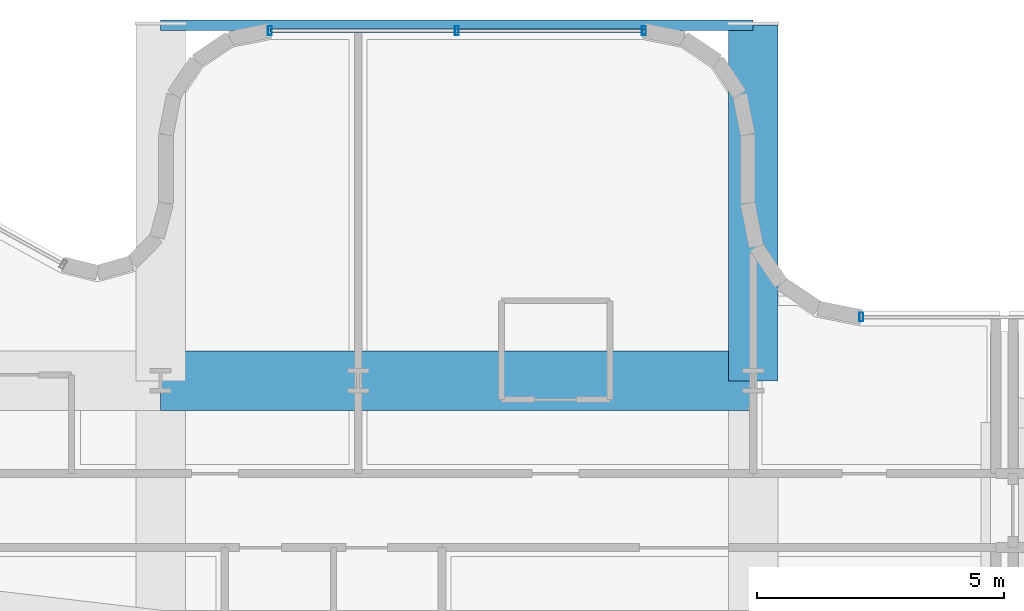
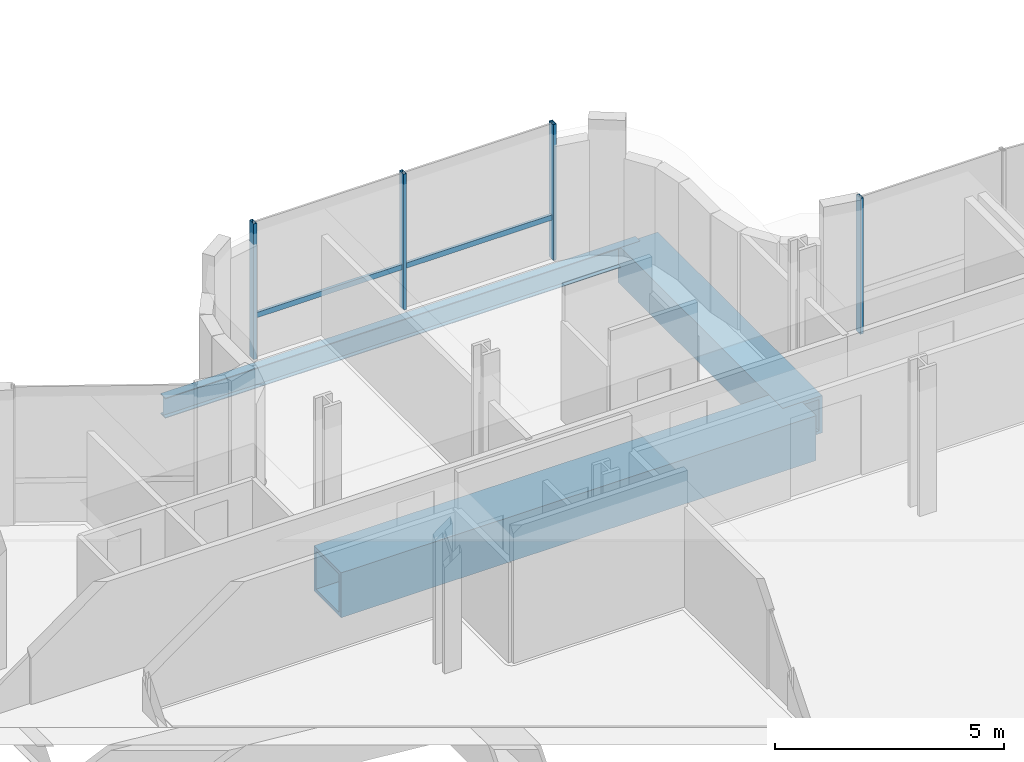
# One storey, part 21 of 36: 5 members, 3 beams, 2 elements without a shape of their own.
"""IFC4 building model written with IfcOpenShell, lengths in metres."""

from ifc_helpers import new_model, si_unit, direction, frame, origin, origin_2d, place, context, subcontext, project, spatial, hollow_rectangle, i_section, extrude, source, transform, mapped, material, material_profile, profile_set, type_object, element, aggregate, save


model = new_model("IFC4")

# Units and contexts
model_context = context("Model", 3, precision=1e-05, world=origin(), true_north=direction((0.0, 1.0)))
body_context = subcontext(model_context, "Body", "Model", "MODEL_VIEW")
ifc_project = project(units=[si_unit("LENGTHUNIT", "METRE"), si_unit("AREAUNIT", "SQUARE_METRE"), si_unit("VOLUMEUNIT", "CUBIC_METRE"), si_unit("PLANEANGLEUNIT", "RADIAN"), si_unit("MASSUNIT", "GRAM", prefix="KILO")], contexts=[model_context])

# Site, building, storey
site_placement = place(None, origin())
site = spatial("IfcSite", under=ifc_project, at=site_placement, CompositionType="ELEMENT")
building_placement = place(site_placement, origin())
building = spatial("IfcBuilding", under=site, at=building_placement, Name="Valdorenza Pilgrim Sanctuary Tower", CompositionType="ELEMENT")
storey_placement = place(building_placement, frame((0.0, 0.0, 176.550048828125)))
storey = spatial("IfcBuildingStorey", under=building, at=storey_placement, Name="L45", CompositionType="ELEMENT", Elevation=176.550048828125)

# Beams
ifc_material_1 = material(Name="Steel ASTM A572 Grade 42", Category="steel")
ifc_material_profile_1 = material_profile(ifc_material_1, hollow_rectangle(XDim=1.199951171875, YDim=1.199951171875, WallThickness=0.090087890625, at=origin_2d()), Name="BOX 1200x1200x90")
ifc_profile_set_1 = profile_set([ifc_material_profile_1], Name="Steel ASTM A572 Grade 42")
beam_type_1 = type_object("IfcBeamType", Name="STR-BM-TRF-1200", PredefinedType="BEAM", material=ifc_profile_set_1)
shared_shape_1 = source(origin(), body_context, "Body", "SweptSolid", [
    extrude(hollow_rectangle(XDim=1.199951171875, YDim=1.199951171875, WallThickness=0.090087890625, at=origin_2d()), origin(), (0.0, 0.0, 1.0), 12.0),
])
beam_1_placement = place(storey_placement, frame((-3.5, 14.800048828125, -0.920166015625), z_axis=(1.0, 0.0, 0.0), x_axis=(0.0, 1.0, 0.0)))
element("IfcBeam", 1, at=beam_1_placement, inside=storey, type_object=beam_type_1, Name="L45 Portal Bridge Transfer Girder PRY-G2-P14", PredefinedType="BEAM", context=body_context, shape_type="MappedRepresentation", body=[
    mapped(shared_shape_1, transform((0.0, 0.0, 0.0), x_axis=(1.0, 0.0, 0.0), y_axis=(0.0, 1.0, 0.0), z_axis=(0.0, 0.0, 1.0), scale=1.0)),
])
ifc_material_profile_2 = material_profile(ifc_material_1, hollow_rectangle(XDim=1.0, YDim=1.0, WallThickness=0.080078125, at=origin_2d()), Name="BOX 1000x1000x80")
ifc_profile_set_2 = profile_set([ifc_material_profile_2], Name="Steel ASTM A572 Grade 42")
beam_type_2 = type_object("IfcBeamType", Name="STR-BM-PROW-CANT", PredefinedType="BEAM", material=ifc_profile_set_2)
shared_shape_2 = source(origin(), body_context, "Body", "SweptSolid", [
    extrude(hollow_rectangle(XDim=1.0, YDim=1.0, WallThickness=0.080078125, at=origin_2d()), origin(), (0.0, 0.0, 1.0), 7.199951171875),
])
beam_2_placement = place(storey_placement, frame((8.5, 14.800048828125, -0.820068359375), z_axis=(0.0, 1.0, 0.0), x_axis=(-1.0, 0.0, 0.0)))
element("IfcBeam", 2, at=beam_2_placement, inside=storey, type_object=beam_type_2, Name="L45 North Sanctuary Prow Cantilever PROW-CANT-N-E", PredefinedType="BEAM", context=body_context, shape_type="MappedRepresentation", body=[
    mapped(shared_shape_2, transform((0.0, 0.0, 0.0), x_axis=(1.0, 0.0, 0.0), y_axis=(0.0, 1.0, 0.0), z_axis=(0.0, 0.0, 1.0), scale=1.0)),
])
ifc_material_2 = material(Name="Steel ASTM A992 Grade 50", Category="steel")
ifc_material_profile_3 = material_profile(ifc_material_2, i_section(OverallWidth=0.2109375, OverallDepth=0.5390625, WebThickness=0.01171875, FlangeThickness=0.018798828125, at=origin_2d()), Name="W21X73")
ifc_profile_set_3 = profile_set([ifc_material_profile_3], Name="Steel ASTM A992 Grade 50")
beam_type_3 = type_object("IfcBeamType", Name="STR-BM-SPN-W21B", PredefinedType="SPANDREL", material=ifc_profile_set_3)
shared_shape_3 = source(origin(), body_context, "Body", "SweptSolid", [
    extrude(i_section(OverallWidth=0.2109375, OverallDepth=0.5390625, WebThickness=0.01171875, FlangeThickness=0.018798828125, at=origin_2d()), origin(), (0.0, 0.0, 1.0), 12.0),
])
beam_3_placement = place(storey_placement, frame((-3.5, 22.0, -0.589599609375), z_axis=(1.0, 0.0, 0.0), x_axis=(0.0, 1.0, 0.0)))
element("IfcBeam", 3, at=beam_3_placement, inside=storey, type_object=beam_type_3, Name="L45 North Prow Tip Spandrel PROW-TIP-N", PredefinedType="SPANDREL", context=body_context, shape_type="MappedRepresentation", body=[
    mapped(shared_shape_3, transform((0.0, 0.0, 0.0), x_axis=(1.0, 0.0, 0.0), y_axis=(0.0, 1.0, 0.0), z_axis=(0.0, 0.0, 1.0), scale=1.0)),
])

# Curtain wall, members
ifc_material_3 = material(Name="Curtain-wall IGU glazing", Category="glass")
curtain_wall_type = type_object("IfcCurtainWallType", Name="CW-SYS-05", PredefinedType="NOTDEFINED", material=ifc_material_3)
curtain_wall_1_placement = place(storey_placement, origin())
curtain_wall_1 = element("IfcCurtainWall", 4, at=curtain_wall_1_placement, inside=storey, type_object=curtain_wall_type, Name="L45 Curtain Wall CW-L45-1-21", PredefinedType="NOTDEFINED")
ifc_material_4 = material(Name="Anodised aluminium AW-6060", Category="aluminium")
ifc_material_profile_4 = material_profile(ifc_material_4, hollow_rectangle(XDim=0.070068359375, YDim=0.139892578125, WallThickness=0.00341796875, at=origin_2d()), Name="ALU-T 140x70x3.5")
ifc_profile_set_4 = profile_set([ifc_material_profile_4], Name="Anodised aluminium AW-6060")
member_type_1 = type_object("IfcMemberType", Name="CW-TRN-05", PredefinedType="USERDEFINED", material=ifc_profile_set_4)
shared_shape_4 = source(origin(), body_context, "Body", "SweptSolid", [
    extrude(hollow_rectangle(XDim=0.070068359375, YDim=0.139892578125, WallThickness=0.00341796875, at=origin_2d()), origin(), (0.0, 0.0, 1.0), 7.5703125),
])
member_1_placement = place(storey_placement, frame((-1.28515625, 21.889892578125, 1.119873046875), z_axis=(1.0, 0.0, 0.0), x_axis=(0.0, 1.0, 0.0)))
member_1 = element("IfcMember", 5, at=member_1_placement, type_object=member_type_1, Name="CW-L45-1-21 Transom 1", ObjectType="TRANSOM", PredefinedType="USERDEFINED", context=body_context, shape_type="MappedRepresentation", body=[
    mapped(shared_shape_4, transform((0.0, 0.0, 0.0), x_axis=(1.0, 0.0, 0.0), y_axis=(0.0, 1.0, 0.0), z_axis=(0.0, 0.0, 1.0), scale=1.0)),
])
ifc_material_profile_5 = material_profile(ifc_material_4, hollow_rectangle(XDim=0.080078125, YDim=0.179931640625, WallThickness=0.00439453125, at=origin_2d()), Name="ALU-M 180x80x4.5")
ifc_profile_set_5 = profile_set([ifc_material_profile_5], Name="Anodised aluminium AW-6060")
member_type_2 = type_object("IfcMemberType", Name="CW-MUL-05", PredefinedType="MULLION", material=ifc_profile_set_5)
shared_shape_5 = source(origin(), body_context, "Body", "SweptSolid", [
    extrude(hollow_rectangle(XDim=0.080078125, YDim=0.179931640625, WallThickness=0.00439453125, at=origin_2d()), origin(), (0.0, 0.0, 1.0), 3.6298828125),
])
member_2_placement = place(storey_placement, frame((-1.28515625, 21.889892578125, 0.0), z_axis=(0.0, 0.0, 1.0), x_axis=(1.0, 0.0, 0.0)))
member_2 = element("IfcMember", 6, at=member_2_placement, type_object=member_type_2, Name="CW-L45-1-21 Mullion 1", PredefinedType="MULLION", context=body_context, shape_type="MappedRepresentation", body=[
    mapped(shared_shape_5, transform((0.0, 0.0, 0.0), x_axis=(1.0, 0.0, 0.0), y_axis=(0.0, 1.0, 0.0), z_axis=(0.0, 0.0, 1.0), scale=1.0)),
])
member_3_placement = place(storey_placement, frame((2.5, 21.889892578125, 0.0), z_axis=(0.0, 0.0, 1.0), x_axis=(1.0, 0.0, 0.0)))
member_3 = element("IfcMember", 7, at=member_3_placement, type_object=member_type_2, Name="CW-L45-1-21 Mullion 2", PredefinedType="MULLION", context=body_context, shape_type="MappedRepresentation", body=[
    mapped(shared_shape_5, transform((0.0, 0.0, 0.0), x_axis=(1.0, 0.0, 0.0), y_axis=(0.0, 1.0, 0.0), z_axis=(0.0, 0.0, 1.0), scale=1.0)),
])
member_4_placement = place(storey_placement, frame((6.28515625, 21.889892578125, 0.0), z_axis=(0.0, 0.0, 1.0), x_axis=(1.0, 0.0, 0.0)))
member_4 = element("IfcMember", 8, at=member_4_placement, type_object=member_type_2, Name="CW-L45-1-21 Mullion 3", PredefinedType="MULLION", context=body_context, shape_type="MappedRepresentation", body=[
    mapped(shared_shape_5, transform((0.0, 0.0, 0.0), x_axis=(1.0, 0.0, 0.0), y_axis=(0.0, 1.0, 0.0), z_axis=(0.0, 0.0, 1.0), scale=1.0)),
])
aggregate(curtain_wall_1, [member_2, member_3, member_4, member_1])

# Curtain wall, member
curtain_wall_2_placement = place(storey_placement, origin())
curtain_wall_2 = element("IfcCurtainWall", 9, at=curtain_wall_2_placement, inside=storey, type_object=curtain_wall_type, Name="L45 Curtain Wall CW-L45-1-31", PredefinedType="NOTDEFINED")
member_5_placement = place(storey_placement, frame((10.693115234375, 16.090087890625, 0.0), z_axis=(0.0, 0.0, 1.0), x_axis=(1.0, 0.0, 0.0)))
member_5 = element("IfcMember", 10, at=member_5_placement, type_object=member_type_2, Name="CW-L45-1-31 Mullion 1", PredefinedType="MULLION", context=body_context, shape_type="MappedRepresentation", body=[
    mapped(shared_shape_5, transform((0.0, 0.0, 0.0), x_axis=(1.0, 0.0, 0.0), y_axis=(0.0, 1.0, 0.0), z_axis=(0.0, 0.0, 1.0), scale=1.0)),
])
aggregate(curtain_wall_2, [member_5])

save(model, "model.ifc")
